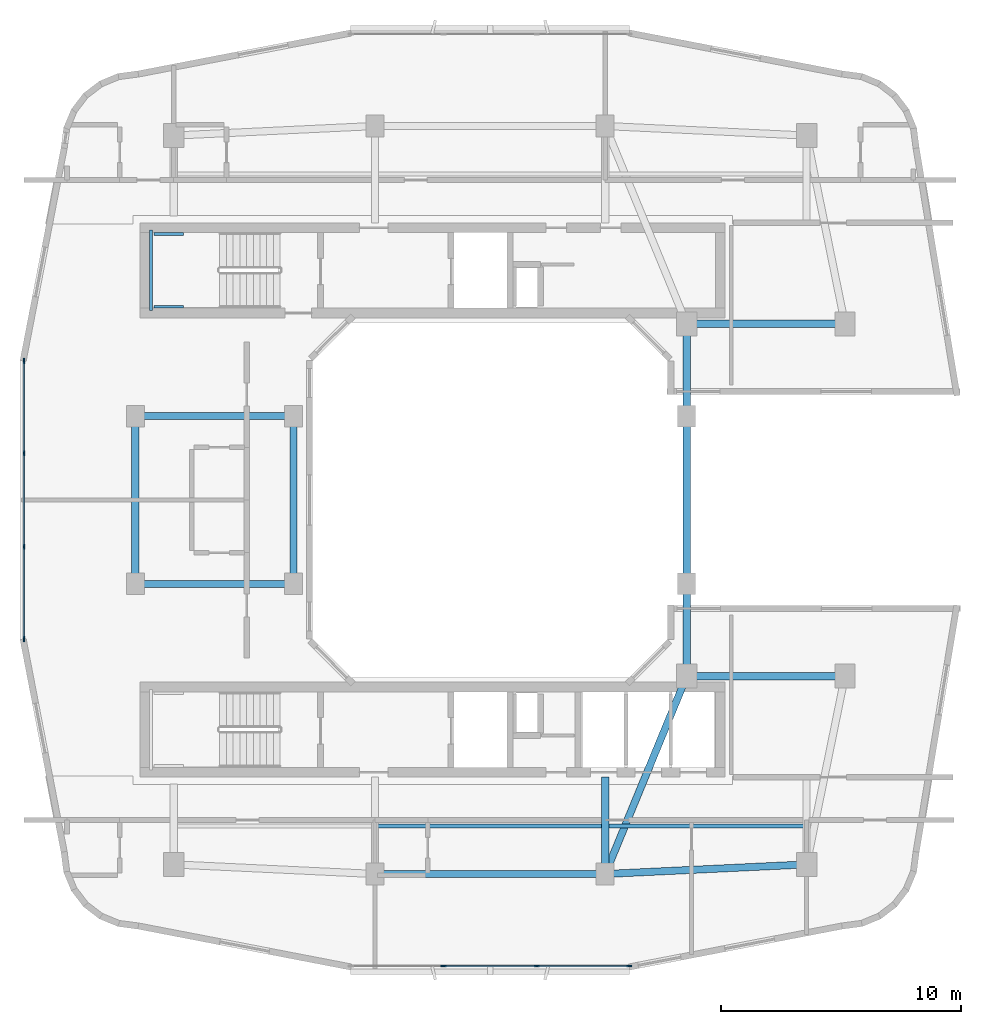
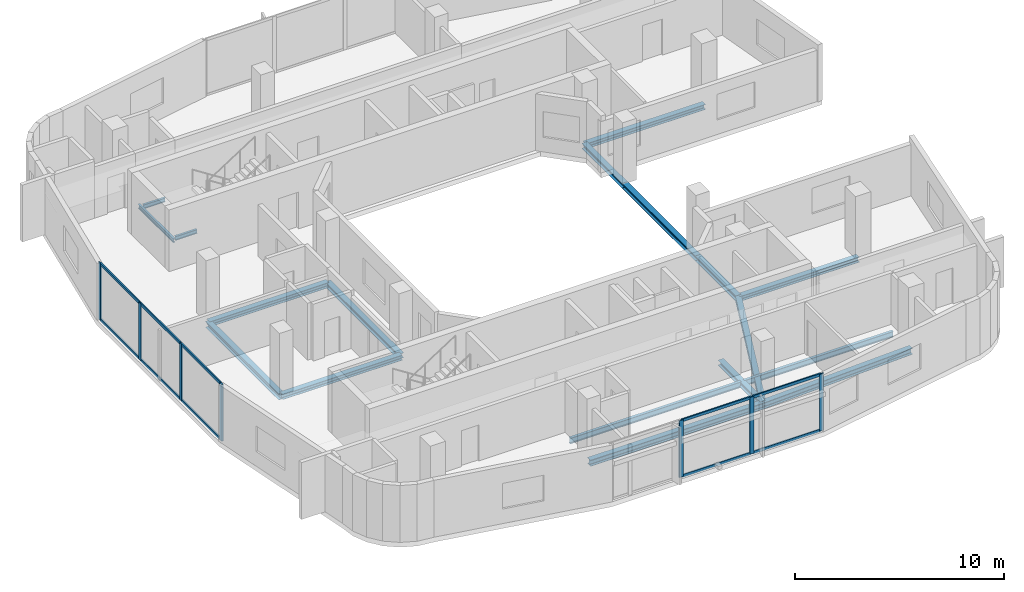
# One storey, part 2 of 12: 18 beams, 17 members, 2 elements without a shape of their own.
"""IFC4 building model written with IfcOpenShell, lengths in metres."""

import ifcopenshell
import ifcopenshell.guid

model = None  # the IFC model being written
_history = None  # IfcOwnerHistory: only IFC2X3 demands one
_inside = {}  # id of a spatial element -> (the spatial element, [elements in it])
_under = {}  # id of a project, library or spatial element -> (it, [spatial elements below it])
_declared = {}  # id of a project -> (the project, [libraries it declares])
_typed = {}  # id of a type object -> (the type object, [elements of that type])
_made_of = {}  # id of a material, layer set ... -> (it, [elements and type objects made of it])


def new_model(schema):
    """Start an empty IFC model of exactly this schema.

    Asked for "IFC4X3", IfcOpenShell would pick the latest addendum, in which some entities
    have other attributes; the version numbers below select the first issue.
    IFC2X3 requires an IfcOwnerHistory on every rooted entity: one is made here for all.
    """
    global model, _history
    if schema == "IFC4X3":
        model = ifcopenshell.file(schema_version=(4, 3, 0, 0))
    else:
        model = ifcopenshell.file(schema=schema)
    _inside.clear()
    _under.clear()
    _declared.clear()
    _typed.clear()
    _made_of.clear()
    _history = None
    if model.schema == "IFC2X3":
        org = make("IfcOrganization", Name="unknown")
        user = make(
            "IfcPersonAndOrganization",
            ThePerson=make("IfcPerson", FamilyName="unknown"),
            TheOrganization=org,
        )
        app = make(
            "IfcApplication",
            ApplicationDeveloper=org,
            Version="unknown",
            ApplicationFullName="unknown",
            ApplicationIdentifier="unknown",
        )
        _history = make(
            "IfcOwnerHistory",
            OwningUser=user,
            OwningApplication=app,
            ChangeAction="ADDED",
            CreationDate=0,
        )
    return model


def make(cls, **values):
    """One entity of the class cls with the attributes given. An attribute that is None is left unset."""
    return model.create_entity(
        cls, **{name: value for name, value in values.items() if value is not None}
    )


def rooted(cls, **values):
    """An entity with a GlobalId (a new one), such as an element, a storey or a relation."""
    return make(cls, GlobalId=ifcopenshell.guid.new(), OwnerHistory=_history, **values)


def si_unit(unit_type, name, prefix=None):
    """IfcSIUnit, for example si_unit("LENGTHUNIT", "METRE", prefix="MILLI")."""
    return make("IfcSIUnit", UnitType=unit_type, Prefix=prefix, Name=name)


def derived_unit(unit_type, elements):
    """IfcDerivedUnit: a product of units, each with its exponent."""
    return make(
        "IfcDerivedUnit",
        Elements=[
            make("IfcDerivedUnitElement", Unit=unit, Exponent=power)
            for unit, power in elements
        ],
        UnitType=unit_type,
    )


def assignment(units):
    """IfcUnitAssignment: the units of a project."""
    return None if units is None else make("IfcUnitAssignment", Units=units)


def point(xyz):
    """IfcCartesianPoint."""
    return None if xyz is None else make("IfcCartesianPoint", Coordinates=xyz)


def direction(xyz):
    """IfcDirection."""
    return None if xyz is None else make("IfcDirection", DirectionRatios=xyz)


def frame(location, z_axis=None, x_axis=None):
    """IfcAxis2Placement3D, a coordinate frame: its origin and axes. An axis left out is left unset."""
    return make(
        "IfcAxis2Placement3D",
        Location=point(location),
        Axis=direction(z_axis),
        RefDirection=direction(x_axis),
    )


def frame_2d(location, x_axis=None):
    """IfcAxis2Placement2D, a coordinate frame in the plane: its origin and x axis."""
    return make(
        "IfcAxis2Placement2D", Location=point(location), RefDirection=direction(x_axis)
    )


def origin():
    """The frame at (0, 0, 0) with its axes left unset."""
    return frame((0.0, 0.0, 0.0))


def origin_2d():
    """The frame at (0, 0) in the plane with its x axis left unset."""
    return frame_2d((0.0, 0.0))


def place(relative_to, where):
    """IfcLocalPlacement: puts the frame where relative to a parent placement (None: the world)."""
    return make(
        "IfcLocalPlacement", PlacementRelTo=relative_to, RelativePlacement=where
    )


def context(
    kind, dimensions, precision=None, world=None, true_north=None, identifier=None
):
    """IfcGeometricRepresentationContext, for example the 3D "Model" context."""
    return make(
        "IfcGeometricRepresentationContext",
        ContextIdentifier=identifier,
        ContextType=kind,
        CoordinateSpaceDimension=dimensions,
        Precision=precision,
        WorldCoordinateSystem=world,
        TrueNorth=true_north,
    )


def subcontext(parent, identifier, kind, view, scale=None):
    """IfcGeometricRepresentationSubContext, for example "Body" below "Model"."""
    return make(
        "IfcGeometricRepresentationSubContext",
        ContextIdentifier=identifier,
        ContextType=kind,
        ParentContext=parent,
        TargetScale=scale,
        TargetView=view,
    )


def project(units=None, contexts=None):
    """IfcProject with its units and contexts."""
    return rooted(
        "IfcProject",
        Name="project",
        RepresentationContexts=contexts,
        UnitsInContext=assignment(units),
    )


def spatial(cls, under=None, at=None, **own):
    """A site, building, storey or space (cls), placed at a placement, below another one or the project."""
    s = rooted(cls, ObjectPlacement=at, **own)
    if under is not None:
        _under.setdefault(under.id(), (under, []))[1].append(s)
    return s


def profile(cls, at=None, kind="AREA", **sizes):
    """A parametric profile (cls). Its sizes go by their IFC names, for example OverallWidth=200.0."""
    return make(cls, ProfileType=kind, Position=at, **sizes)


def rectangle(**sizes):
    """IfcRectangleProfileDef."""
    return profile("IfcRectangleProfileDef", **sizes)


def i_section(**sizes):
    """IfcIShapeProfileDef."""
    return profile("IfcIShapeProfileDef", **sizes)


def extrude(swept, where, along, depth):
    """IfcExtrudedAreaSolid: the profile swept, set in the frame where, extruded along a direction by depth."""
    return make(
        "IfcExtrudedAreaSolid",
        SweptArea=swept,
        Position=where,
        ExtrudedDirection=direction(along),
        Depth=depth,
    )


def shape(context_of_items, identifier, shape_type, items):
    """IfcShapeRepresentation: the items that make up one representation, for example the "Body"."""
    return make(
        "IfcShapeRepresentation",
        ContextOfItems=context_of_items,
        RepresentationIdentifier=identifier,
        RepresentationType=shape_type,
        Items=items,
    )


def material(Name=None, Category=None):
    """IfcMaterial."""
    return make("IfcMaterial", Name=Name, Category=Category)


def layer(
    of_material, thickness, ventilated=None, Name=None, Category=None, Priority=None
):
    """IfcMaterialLayer: one layer of a wall or slab, of a material (None: an air gap)."""
    return make(
        "IfcMaterialLayer",
        Material=of_material,
        LayerThickness=thickness,
        IsVentilated=ventilated,
        Name=Name,
        Category=Category,
        Priority=Priority,
    )


def layer_set(layers, Name=None):
    """IfcMaterialLayerSet."""
    return make("IfcMaterialLayerSet", MaterialLayers=layers, LayerSetName=Name)


def material_profile(
    of_material, cross_section, Name=None, Category=None, Priority=None
):
    """IfcMaterialProfile: a cross section and its material."""
    return make(
        "IfcMaterialProfile",
        Name=Name,
        Material=of_material,
        Profile=cross_section,
        Priority=Priority,
        Category=Category,
    )


def profile_set(profiles, Name=None, composite=None):
    """IfcMaterialProfileSet."""
    return make(
        "IfcMaterialProfileSet",
        Name=Name,
        MaterialProfiles=profiles,
        CompositeProfile=composite,
    )


def made_of(thing, what):
    """Note that an element or type object is made of a material, layer set ...; save() writes the relation."""
    if what is not None:
        _made_of.setdefault(what.id(), (what, []))[1].append(thing)
    return thing


def type_object(cls, material=None, **own):
    """A type object (cls), such as IfcWallType, which elements share."""
    return made_of(rooted(cls, **own), material)


def element(
    cls,
    number,
    at=None,
    inside=None,
    cuts=None,
    type_object=None,
    material=None,
    context=None,
    identifier="Body",
    shape_type=None,
    held_by="IfcProductDefinitionShape",
    body=None,
    shapes=None,
    **own,
):
    """One element of the class cls, such as IfcWall. Its Tag is "e" and its number.

    at: its placement. inside: the storey or other place that contains it. cuts: it is an
    opening in that element (IfcRelVoidsElement). A single representation is given by context,
    identifier, shape_type and body (its items); several are given by shapes. held_by: the class
    of the entity that holds the representations. save() writes the other relations.
    """
    e = rooted(cls, Tag="e%d" % number, ObjectPlacement=at, **own)
    if body is not None:
        shapes = [shape(context, identifier, shape_type, body)]
    if shapes is not None:
        e.Representation = make(held_by, Representations=shapes)
    if inside is not None:
        _inside.setdefault(inside.id(), (inside, []))[1].append(e)
    if cuts is not None:
        rooted(
            "IfcRelVoidsElement", RelatingBuildingElement=cuts, RelatedOpeningElement=e
        )
    if type_object is not None:
        _typed.setdefault(type_object.id(), (type_object, []))[1].append(e)
    return made_of(e, material)


def aggregate(whole, parts):
    """IfcRelAggregates: a whole, such as a stair, and the parts it consists of."""
    return rooted("IfcRelAggregates", RelatingObject=whole, RelatedObjects=parts)


def save(model, path):
    """Write the relations noted so far, then the file.

    IfcRelAggregates (storeys below a building ...), IfcRelContainedInSpatialStructure (elements
    in a storey), IfcRelDefinesByType, IfcRelAssociatesMaterial and IfcRelDeclares: one each for
    every whole, place, type object, material and project.
    """
    for whole, parts in _under.values():
        aggregate(whole, parts)
    for where, things in _inside.values():
        rooted(
            "IfcRelContainedInSpatialStructure",
            RelatedElements=things,
            RelatingStructure=where,
        )
    for kind, things in _typed.values():
        rooted("IfcRelDefinesByType", RelatedObjects=things, RelatingType=kind)
    for what, things in _made_of.values():
        rooted("IfcRelAssociatesMaterial", RelatedObjects=things, RelatingMaterial=what)
    for by, libraries in _declared.values():
        rooted("IfcRelDeclares", RelatingContext=by, RelatedDefinitions=libraries)
    model.write(path)


model = new_model("IFC4")

# Units and contexts
model_context = context("Model", 3, precision=1e-05, world=origin(), true_north=direction((0.0, 1.0)))
body_context = subcontext(model_context, "Body", "Model", "MODEL_VIEW")
ifc_project = project(units=[si_unit("LENGTHUNIT", "METRE"), si_unit("AREAUNIT", "SQUARE_METRE"), si_unit("VOLUMEUNIT", "CUBIC_METRE"), si_unit("PLANEANGLEUNIT", "RADIAN"), si_unit("MASSUNIT", "GRAM", prefix="KILO"), derived_unit("THERMALTRANSMITTANCEUNIT", [(si_unit("POWERUNIT", "WATT"), 1), (si_unit("LENGTHUNIT", "METRE"), -2), (si_unit("THERMODYNAMICTEMPERATUREUNIT", "KELVIN"), -1)])], contexts=[model_context])

# Site, building, storey
site_placement = place(None, origin())
site = spatial("IfcSite", under=ifc_project, at=site_placement, CompositionType="ELEMENT")
building_placement = place(site_placement, origin())
building = spatial("IfcBuilding", under=site, at=building_placement, Name="Kivonza Crest Hotel", CompositionType="ELEMENT")
storey_placement = place(building_placement, frame((0.0, 0.0, 191.89990234375)))
storey = spatial("IfcBuildingStorey", under=building, at=storey_placement, Name="L52", CompositionType="ELEMENT", Elevation=191.89990234375)

# Beams
ifc_material_1 = material(Name="Steel S355", Category="steel")
ifc_material_profile_1 = material_profile(ifc_material_1, i_section(OverallWidth=0.300048828125, OverallDepth=0.300048828125, WebThickness=0.010986328125, FlangeThickness=0.01904296875, FilletRadius=0.027099609375, at=origin_2d()), Name="HEB 300")
ifc_profile_set_1 = profile_set([ifc_material_profile_1], Name="Steel S355")
beam_type_1 = type_object("IfcBeamType", Name="BM-HEB300", PredefinedType="BEAM", material=ifc_profile_set_1)
for number, where, z_axis, x_axis, name in (
    (1, (6.199951171875, 21.5, -0.429931640625), (1.0, 0.0, 0.0), (0.0, 1.0, 0.0), "Tower T1 L52 primary girder W1-WL1"),
    (2, (6.199951171875, 28.5, -0.429931640625), (1.0, 0.0, 0.0), (0.0, 1.0, 0.0), "Tower T1 L52 primary girder W2-WL2"),
):
    element("IfcBeam", number, at=place(storey_placement, frame(where, z_axis=z_axis, x_axis=x_axis)), inside=storey, type_object=beam_type_1, Name=name, PredefinedType="BEAM", context=body_context, shape_type="SweptSolid", body=[
        extrude(i_section(OverallWidth=0.300048828125, OverallDepth=0.300048828125, WebThickness=0.010986328125, FlangeThickness=0.01904296875, FilletRadius=0.027099609375, at=origin_2d()), origin(), (0.0, 0.0, 1.0), 6.60009765625),
    ])
beam_1_placement = place(storey_placement, frame((12.800048828125, 21.5, -0.429931640625), z_axis=(0.0, 1.0, 0.0), x_axis=(-1.0, 0.0, 0.0)))
element("IfcBeam", 3, at=beam_1_placement, inside=storey, type_object=beam_type_1, Name="Tower T1 L52 primary girder WL1-WL2", PredefinedType="BEAM", context=body_context, shape_type="SweptSolid", body=[
    extrude(i_section(OverallWidth=0.300048828125, OverallDepth=0.300048828125, WebThickness=0.010986328125, FlangeThickness=0.01904296875, FilletRadius=0.027099609375, at=origin_2d()), origin(), (0.0, 0.0, 1.0), 7.0),
])
beam_2_placement = place(storey_placement, frame((25.800048828125, 9.39990234375, -0.429931640625), z_axis=(0.381022260404, 0.924565864109, 0.0), x_axis=(-0.924565864109, 0.381022260404, 0.0)))
element("IfcBeam", 4, at=beam_2_placement, inside=storey, type_object=beam_type_1, Name="Tower T1 L52 primary girder S1-TSE", PredefinedType="BEAM", context=body_context, shape_type="SweptSolid", body=[
    extrude(i_section(OverallWidth=0.300048828125, OverallDepth=0.300048828125, WebThickness=0.010986328125, FlangeThickness=0.01904296875, FilletRadius=0.027099609375, at=origin_2d()), origin(), (0.0, 0.0, 1.0), 8.923095703125),
])
for number, where, z_axis, x_axis, name in (
    (5, (29.199951171875, 17.64990234375, -0.429931640625), (1.0, 0.0, 0.0), (0.0, 1.0, 0.0), "Tower T1 L52 primary girder TSE-PSE"),
    (6, (29.199951171875, 32.35009765625, -0.429931640625), (1.0, 0.0, 0.0), (0.0, 1.0, 0.0), "Tower T1 L52 primary girder TNE-PNE"),
):
    element("IfcBeam", number, at=place(storey_placement, frame(where, z_axis=z_axis, x_axis=x_axis)), inside=storey, type_object=beam_type_1, Name=name, PredefinedType="BEAM", context=body_context, shape_type="SweptSolid", body=[
        extrude(i_section(OverallWidth=0.300048828125, OverallDepth=0.300048828125, WebThickness=0.010986328125, FlangeThickness=0.01904296875, FilletRadius=0.027099609375, at=origin_2d()), origin(), (0.0, 0.0, 1.0), 6.60009765625),
    ])
beam_3_placement = place(storey_placement, frame((29.199951171875, 21.5, -0.429931640625), z_axis=(0.0, 1.0, 0.0), x_axis=(-1.0, 0.0, 0.0)))
element("IfcBeam", 7, at=beam_3_placement, inside=storey, type_object=beam_type_1, Name="Tower T1 L52 primary girder WR1-WR2", PredefinedType="BEAM", context=body_context, shape_type="SweptSolid", body=[
    extrude(i_section(OverallWidth=0.300048828125, OverallDepth=0.300048828125, WebThickness=0.010986328125, FlangeThickness=0.01904296875, FilletRadius=0.027099609375, at=origin_2d()), origin(), (0.0, 0.0, 1.0), 7.0),
])
for number, where, z_axis, x_axis, name in (
    (8, (29.199951171875, 17.64990234375, -0.429931640625), (0.0, 1.0, 0.0), (-1.0, 0.0, 0.0), "Tower T1 L52 primary girder TSE-WR1"),
    (9, (29.199951171875, 28.5, -0.429931640625), (0.0, 1.0, 0.0), (-1.0, 0.0, 0.0), "Tower T1 L52 primary girder WR2-TNE"),
):
    element("IfcBeam", number, at=place(storey_placement, frame(where, z_axis=z_axis, x_axis=x_axis)), inside=storey, type_object=beam_type_1, Name=name, PredefinedType="BEAM", context=body_context, shape_type="SweptSolid", body=[
        extrude(i_section(OverallWidth=0.300048828125, OverallDepth=0.300048828125, WebThickness=0.010986328125, FlangeThickness=0.01904296875, FilletRadius=0.027099609375, at=origin_2d()), origin(), (0.0, 0.0, 1.0), 3.85009765625),
    ])
beam_4_placement = place(storey_placement, frame((25.800048828125, 9.39990234375, -0.429931640625), z_axis=(0.0, 1.0, 0.0), x_axis=(-1.0, 0.0, 0.0)))
element("IfcBeam", 10, at=beam_4_placement, inside=storey, type_object=beam_type_1, Name="Tower T1 L52 radial core girder RS2", PredefinedType="BEAM", context=body_context, shape_type="SweptSolid", body=[
    extrude(i_section(OverallWidth=0.300048828125, OverallDepth=0.300048828125, WebThickness=0.010986328125, FlangeThickness=0.01904296875, FilletRadius=0.027099609375, at=origin_2d()), origin(), (0.0, 0.0, 1.0), 4.050048828125),
])
ifc_material_profile_2 = material_profile(ifc_material_1, i_section(OverallWidth=0.300048828125, OverallDepth=0.360107421875, WebThickness=0.012451171875, FlangeThickness=0.0224609375, FilletRadius=0.027099609375, at=origin_2d()), Name="HEB 360")
ifc_profile_set_2 = profile_set([ifc_material_profile_2], Name="Steel S355")
beam_type_2 = type_object("IfcBeamType", Name="BM-HEB360", PredefinedType="SPANDREL", material=ifc_profile_set_2)
beam_5_placement = place(storey_placement, frame((16.199951171875, 9.39990234375, -0.4599609375), z_axis=(1.0, 0.0, 0.0), x_axis=(0.0, 1.0, 0.0)))
element("IfcBeam", 11, at=beam_5_placement, inside=storey, type_object=beam_type_2, Name="Tower T1 L52 perimeter spandrel S1-S2", PredefinedType="SPANDREL", context=body_context, shape_type="SweptSolid", body=[
    extrude(i_section(OverallWidth=0.300048828125, OverallDepth=0.360107421875, WebThickness=0.012451171875, FlangeThickness=0.0224609375, FilletRadius=0.027099609375, at=origin_2d()), origin(), (0.0, 0.0, 1.0), 9.60009765625),
])
beam_6_placement = place(storey_placement, frame((25.800048828125, 9.39990234375, -0.4599609375), z_axis=(0.998867283688, 0.047583080799, 0.0), x_axis=(-0.047583080799, 0.998867283688, 0.0)))
element("IfcBeam", 12, at=beam_6_placement, inside=storey, type_object=beam_type_2, Name="Tower T1 L52 perimeter spandrel S2-SE", PredefinedType="SPANDREL", context=body_context, shape_type="SweptSolid", body=[
    extrude(i_section(OverallWidth=0.300048828125, OverallDepth=0.360107421875, WebThickness=0.012451171875, FlangeThickness=0.0224609375, FilletRadius=0.027099609375, at=origin_2d()), origin(), (0.0, 0.0, 1.0), 8.409423828125),
])
beam_7_placement = place(storey_placement, frame((6.199951171875, 28.5, -0.4599609375), z_axis=(0.0, -1.0, 0.0), x_axis=(1.0, 0.0, 0.0)))
element("IfcBeam", 13, at=beam_7_placement, inside=storey, type_object=beam_type_2, Name="Tower T1 L52 perimeter spandrel W2-W1", PredefinedType="SPANDREL", context=body_context, shape_type="SweptSolid", body=[
    extrude(i_section(OverallWidth=0.300048828125, OverallDepth=0.360107421875, WebThickness=0.012451171875, FlangeThickness=0.0224609375, FilletRadius=0.027099609375, at=origin_2d()), origin(), (0.0, 0.0, 1.0), 7.0),
])
ifc_material_profile_3 = material_profile(ifc_material_1, i_section(OverallWidth=0.159912109375, OverallDepth=0.330078125, WebThickness=0.007568359375, FlangeThickness=0.011474609375, FilletRadius=0.01806640625, at=origin_2d()), Name="IPE 330")
ifc_profile_set_3 = profile_set([ifc_material_profile_3], Name="Steel S355")
beam_type_3 = type_object("IfcBeamType", Name="BM-IPE330", PredefinedType="JOIST", material=ifc_profile_set_3)
beam_8_placement = place(storey_placement, frame((16.280029296875, 11.39990234375, -0.44482421875), z_axis=(1.0, 0.0, 0.0), x_axis=(0.0, 1.0, 0.0)))
element("IfcBeam", 14, at=beam_8_placement, inside=storey, type_object=beam_type_3, Name="Tower T1 L52 South-Mid floor joist", PredefinedType="JOIST", context=body_context, shape_type="SweptSolid", body=[
    extrude(i_section(OverallWidth=0.159912109375, OverallDepth=0.330078125, WebThickness=0.007568359375, FlangeThickness=0.011474609375, FilletRadius=0.01806640625, at=origin_2d()), origin(), (0.0, 0.0, 1.0), 9.43994140625),
])
beam_9_placement = place(storey_placement, frame((25.8798828125, 11.39990234375, -0.44482421875), z_axis=(1.0, 0.0, 0.0), x_axis=(0.0, 1.0, 0.0)))
element("IfcBeam", 15, at=beam_9_placement, inside=storey, type_object=beam_type_3, Name="Tower T1 L52 South-East floor joist", PredefinedType="JOIST", context=body_context, shape_type="SweptSolid", body=[
    extrude(i_section(OverallWidth=0.159912109375, OverallDepth=0.330078125, WebThickness=0.007568359375, FlangeThickness=0.011474609375, FilletRadius=0.01806640625, at=origin_2d()), origin(), (0.0, 0.0, 1.0), 8.240234375),
])
ifc_material_profile_4 = material_profile(ifc_material_1, i_section(OverallWidth=0.1201171875, OverallDepth=0.239990234375, WebThickness=0.006103515625, FlangeThickness=0.009765625, FilletRadius=0.014892578125, at=origin_2d()), Name="IPE 240")
ifc_profile_set_4 = profile_set([ifc_material_profile_4], Name="Steel S355")
beam_type_4 = type_object("IfcBeamType", Name="BM-LLDG-240", PredefinedType="BEAM", material=ifc_profile_set_4)
beam_10_placement = place(storey_placement, frame((6.860107421875, 32.89990234375, 1.47998046875), z_axis=(0.0, 1.0, 0.0), x_axis=(-1.0, 0.0, 0.0)))
element("IfcBeam", 16, at=beam_10_placement, inside=storey, type_object=beam_type_4, Name="Stair ST-T1-N L52 West landing corbel", PredefinedType="BEAM", context=body_context, shape_type="SweptSolid", body=[
    extrude(i_section(OverallWidth=0.1201171875, OverallDepth=0.239990234375, WebThickness=0.006103515625, FlangeThickness=0.009765625, FilletRadius=0.014892578125, at=origin_2d()), origin(), (0.0, 0.0, 1.0), 3.360107421875),
])
for number, where, z_axis, x_axis, name in (
    (17, (6.989990234375, 33.06005859375, 1.47998046875), (1.0, 0.0, 0.0), (0.0, 1.0, 0.0), "Stair ST-T1-N L52 South landing corbel"),
    (18, (6.989990234375, 36.10009765625, 1.47998046875), (1.0, 0.0, 0.0), (0.0, 1.0, 0.0), "Stair ST-T1-N L52 North landing corbel"),
):
    element("IfcBeam", number, at=place(storey_placement, frame(where, z_axis=z_axis, x_axis=x_axis)), inside=storey, type_object=beam_type_4, Name=name, PredefinedType="BEAM", context=body_context, shape_type="SweptSolid", body=[
        extrude(i_section(OverallWidth=0.1201171875, OverallDepth=0.239990234375, WebThickness=0.006103515625, FlangeThickness=0.009765625, FilletRadius=0.014892578125, at=origin_2d()), origin(), (0.0, 0.0, 1.0), 1.2099609375),
    ])

# Curtain wall, members
ifc_material_2 = material(Name="Anodised bronze aluminium and low-E double glazing", Category="aluminium")
ifc_layer = layer(ifc_material_2, 0.179931640625)
ifc_layer_set = layer_set([ifc_layer], Name="Anodised bronze aluminium and low-E double glazing")
curtain_wall_type = type_object("IfcCurtainWallType", Name="CW-SYS-3", PredefinedType="NOTDEFINED", material=ifc_layer_set)
curtain_wall_1_placement = place(storey_placement, origin())
curtain_wall_1 = element("IfcCurtainWall", 19, at=curtain_wall_1_placement, inside=storey, type_object=curtain_wall_type, Name="L52 unitised curtain wall CW-T1-L52-08", PredefinedType="NOTDEFINED")
ifc_material_3 = material(Name="Anodised bronze aluminium", Category="aluminium")
ifc_material_profile_5 = material_profile(ifc_material_3, rectangle(XDim=0.074951171875, YDim=0.219970703125, at=origin_2d()), Name="CW-M 75x220")
ifc_profile_set_5 = profile_set([ifc_material_profile_5], Name="Anodised bronze aluminium")
member_type_1 = type_object("IfcMemberType", Name="CW-MUL-75x220", PredefinedType="MULLION", material=ifc_profile_set_5)
member_1_placement = place(storey_placement, frame((19.05322265625, 5.56005859375, 0.0), z_axis=(0.0, 0.0, 1.0), x_axis=(0.0, 1.0, 0.0)))
member_1 = element("IfcMember", 20, at=member_1_placement, type_object=member_type_1, Name="CW-3 mullion 2", PredefinedType="MULLION", context=body_context, shape_type="SweptSolid", body=[
    extrude(rectangle(XDim=0.074951171875, YDim=0.219970703125, at=origin_2d()), origin(), (0.0, 0.0, 1.0), 3.320068359375),
])
member_2_placement = place(storey_placement, frame((22.94677734375, 5.56005859375, 0.0), z_axis=(0.0, 0.0, 1.0), x_axis=(0.0, 1.0, 0.0)))
member_2 = element("IfcMember", 21, at=member_2_placement, type_object=member_type_1, Name="CW-3 mullion 3", PredefinedType="MULLION", context=body_context, shape_type="SweptSolid", body=[
    extrude(rectangle(XDim=0.074951171875, YDim=0.219970703125, at=origin_2d()), origin(), (0.0, 0.0, 1.0), 3.320068359375),
])
member_3_placement = place(storey_placement, frame((26.802490234375, 5.56005859375, 0.0), z_axis=(0.0, 0.0, 1.0), x_axis=(0.0, 1.0, 0.0)))
member_3 = element("IfcMember", 22, at=member_3_placement, type_object=member_type_1, Name="CW-3 mullion 4", PredefinedType="MULLION", context=body_context, shape_type="SweptSolid", body=[
    extrude(rectangle(XDim=0.074951171875, YDim=0.219970703125, at=origin_2d()), origin(), (0.0, 0.0, 1.0), 3.320068359375),
])

curtain_wall_2_placement = place(storey_placement, origin())
curtain_wall_2 = element("IfcCurtainWall", 23, at=curtain_wall_2_placement, inside=storey, type_object=curtain_wall_type, Name="L52 unitised curtain wall CW-T1-L52-45", PredefinedType="NOTDEFINED")
member_4_placement = place(storey_placement, frame((1.56005859375, 30.802490234375, 0.0), z_axis=(0.0, 0.0, 1.0), x_axis=(1.0, 0.0, 0.0)))
member_4 = element("IfcMember", 24, at=member_4_placement, type_object=member_type_1, Name="CW-3 mullion 1", PredefinedType="MULLION", context=body_context, shape_type="SweptSolid", body=[
    extrude(rectangle(XDim=0.074951171875, YDim=0.219970703125, at=origin_2d()), origin(), (0.0, 0.0, 1.0), 3.320068359375),
])
member_5_placement = place(storey_placement, frame((1.56005859375, 26.94677734375, 0.0), z_axis=(0.0, 0.0, 1.0), x_axis=(1.0, 0.0, 0.0)))
member_5 = element("IfcMember", 25, at=member_5_placement, type_object=member_type_1, Name="CW-3 mullion 2", PredefinedType="MULLION", context=body_context, shape_type="SweptSolid", body=[
    extrude(rectangle(XDim=0.074951171875, YDim=0.219970703125, at=origin_2d()), origin(), (0.0, 0.0, 1.0), 3.320068359375),
])
member_6_placement = place(storey_placement, frame((1.56005859375, 23.05322265625, 0.0), z_axis=(0.0, 0.0, 1.0), x_axis=(1.0, 0.0, 0.0)))
member_6 = element("IfcMember", 26, at=member_6_placement, type_object=member_type_1, Name="CW-3 mullion 3", PredefinedType="MULLION", context=body_context, shape_type="SweptSolid", body=[
    extrude(rectangle(XDim=0.074951171875, YDim=0.219970703125, at=origin_2d()), origin(), (0.0, 0.0, 1.0), 3.320068359375),
])
member_7_placement = place(storey_placement, frame((1.56005859375, 19.197509765625, 0.0), z_axis=(0.0, 0.0, 1.0), x_axis=(1.0, 0.0, 0.0)))
member_7 = element("IfcMember", 27, at=member_7_placement, type_object=member_type_1, Name="CW-3 mullion 4", PredefinedType="MULLION", context=body_context, shape_type="SweptSolid", body=[
    extrude(rectangle(XDim=0.074951171875, YDim=0.219970703125, at=origin_2d()), origin(), (0.0, 0.0, 1.0), 3.320068359375),
])

# Member
ifc_material_profile_6 = material_profile(ifc_material_3, rectangle(XDim=0.074951171875, YDim=0.159912109375, at=origin_2d()), Name="CW-T 75x160")
ifc_profile_set_6 = profile_set([ifc_material_profile_6], Name="Anodised bronze aluminium")
member_type_2 = type_object("IfcMemberType", Name="CW-TRN-75x160", PredefinedType="USERDEFINED", material=ifc_profile_set_6)
member_8_placement = place(storey_placement, frame((19.0908203125, 5.56005859375, 0.03759765625), z_axis=(1.0, 0.0, 0.0), x_axis=(0.0, 1.0, 0.0)))
member_8 = element("IfcMember", 28, at=member_8_placement, type_object=member_type_2, Name="CW-3 transom 2.1", ObjectType="TRANSOM", PredefinedType="USERDEFINED", context=body_context, shape_type="SweptSolid", body=[
    extrude(rectangle(XDim=0.074951171875, YDim=0.159912109375, at=origin_2d()), origin(), (0.0, 0.0, 1.0), 3.818359375),
])

member_9_placement = place(storey_placement, frame((19.0908203125, 5.56005859375, 3.28271484375), z_axis=(1.0, 0.0, 0.0), x_axis=(0.0, 1.0, 0.0)))
member_9 = element("IfcMember", 29, at=member_9_placement, type_object=member_type_2, Name="CW-3 transom 2.2", ObjectType="TRANSOM", PredefinedType="USERDEFINED", context=body_context, shape_type="SweptSolid", body=[
    extrude(rectangle(XDim=0.074951171875, YDim=0.159912109375, at=origin_2d()), origin(), (0.0, 0.0, 1.0), 3.818359375),
])

member_10_placement = place(storey_placement, frame((22.984130859375, 5.56005859375, 0.03759765625), z_axis=(1.0, 0.0, 0.0), x_axis=(0.0, 1.0, 0.0)))
member_10 = element("IfcMember", 30, at=member_10_placement, type_object=member_type_2, Name="CW-3 transom 3.1", ObjectType="TRANSOM", PredefinedType="USERDEFINED", context=body_context, shape_type="SweptSolid", body=[
    extrude(rectangle(XDim=0.074951171875, YDim=0.159912109375, at=origin_2d()), origin(), (0.0, 0.0, 1.0), 3.78076171875),
])

member_11_placement = place(storey_placement, frame((22.984130859375, 5.56005859375, 3.28271484375), z_axis=(1.0, 0.0, 0.0), x_axis=(0.0, 1.0, 0.0)))
member_11 = element("IfcMember", 31, at=member_11_placement, type_object=member_type_2, Name="CW-3 transom 3.2", ObjectType="TRANSOM", PredefinedType="USERDEFINED", context=body_context, shape_type="SweptSolid", body=[
    extrude(rectangle(XDim=0.074951171875, YDim=0.159912109375, at=origin_2d()), origin(), (0.0, 0.0, 1.0), 3.78076171875),
])

aggregate(curtain_wall_1, [member_1, member_2, member_3, member_8, member_9, member_10, member_11])

member_12_placement = place(storey_placement, frame((1.56005859375, 30.764892578125, 0.03759765625), z_axis=(0.0, -1.0, 0.0), x_axis=(1.0, 0.0, 0.0)))
member_12 = element("IfcMember", 32, at=member_12_placement, type_object=member_type_2, Name="CW-3 transom 1.1", ObjectType="TRANSOM", PredefinedType="USERDEFINED", context=body_context, shape_type="SweptSolid", body=[
    extrude(rectangle(XDim=0.074951171875, YDim=0.159912109375, at=origin_2d()), origin(), (0.0, 0.0, 1.0), 3.78076171875),
])

member_13_placement = place(storey_placement, frame((1.56005859375, 30.764892578125, 3.28271484375), z_axis=(0.0, -1.0, 0.0), x_axis=(1.0, 0.0, 0.0)))
member_13 = element("IfcMember", 33, at=member_13_placement, type_object=member_type_2, Name="CW-3 transom 1.2", ObjectType="TRANSOM", PredefinedType="USERDEFINED", context=body_context, shape_type="SweptSolid", body=[
    extrude(rectangle(XDim=0.074951171875, YDim=0.159912109375, at=origin_2d()), origin(), (0.0, 0.0, 1.0), 3.78076171875),
])

member_14_placement = place(storey_placement, frame((1.56005859375, 26.9091796875, 0.03759765625), z_axis=(0.0, -1.0, 0.0), x_axis=(1.0, 0.0, 0.0)))
member_14 = element("IfcMember", 34, at=member_14_placement, type_object=member_type_2, Name="CW-3 transom 2.1", ObjectType="TRANSOM", PredefinedType="USERDEFINED", context=body_context, shape_type="SweptSolid", body=[
    extrude(rectangle(XDim=0.074951171875, YDim=0.159912109375, at=origin_2d()), origin(), (0.0, 0.0, 1.0), 3.818359375),
])

member_15_placement = place(storey_placement, frame((1.56005859375, 26.9091796875, 3.28271484375), z_axis=(0.0, -1.0, 0.0), x_axis=(1.0, 0.0, 0.0)))
member_15 = element("IfcMember", 35, at=member_15_placement, type_object=member_type_2, Name="CW-3 transom 2.2", ObjectType="TRANSOM", PredefinedType="USERDEFINED", context=body_context, shape_type="SweptSolid", body=[
    extrude(rectangle(XDim=0.074951171875, YDim=0.159912109375, at=origin_2d()), origin(), (0.0, 0.0, 1.0), 3.818359375),
])

member_16_placement = place(storey_placement, frame((1.56005859375, 23.015869140625, 0.03759765625), z_axis=(0.0, -1.0, 0.0), x_axis=(1.0, 0.0, 0.0)))
member_16 = element("IfcMember", 36, at=member_16_placement, type_object=member_type_2, Name="CW-3 transom 3.1", ObjectType="TRANSOM", PredefinedType="USERDEFINED", context=body_context, shape_type="SweptSolid", body=[
    extrude(rectangle(XDim=0.074951171875, YDim=0.159912109375, at=origin_2d()), origin(), (0.0, 0.0, 1.0), 3.78076171875),
])

member_17_placement = place(storey_placement, frame((1.56005859375, 23.015869140625, 3.28271484375), z_axis=(0.0, -1.0, 0.0), x_axis=(1.0, 0.0, 0.0)))
member_17 = element("IfcMember", 37, at=member_17_placement, type_object=member_type_2, Name="CW-3 transom 3.2", ObjectType="TRANSOM", PredefinedType="USERDEFINED", context=body_context, shape_type="SweptSolid", body=[
    extrude(rectangle(XDim=0.074951171875, YDim=0.159912109375, at=origin_2d()), origin(), (0.0, 0.0, 1.0), 3.78076171875),
])

aggregate(curtain_wall_2, [member_4, member_5, member_6, member_7, member_12, member_13, member_14, member_15, member_16, member_17])

save(model, "model.ifc")
